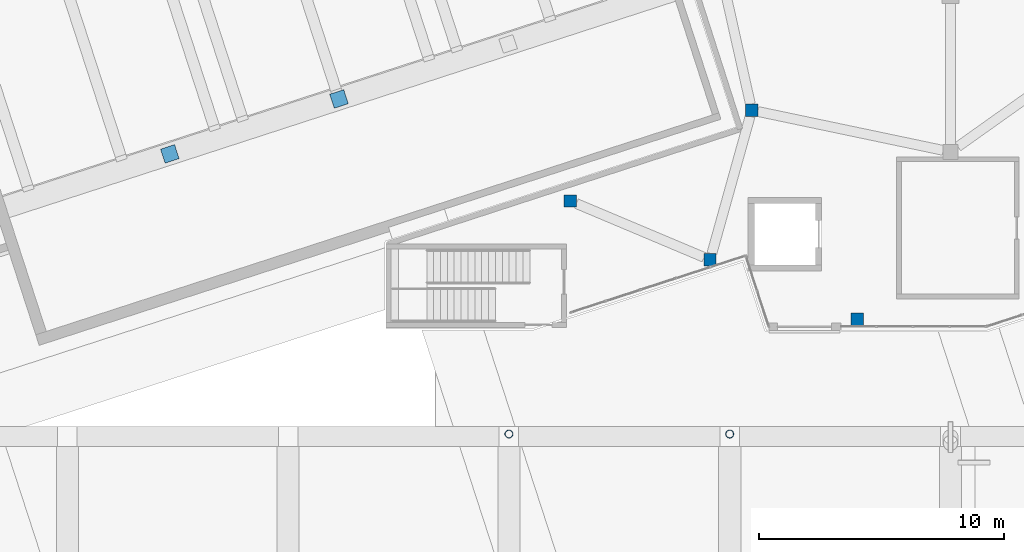
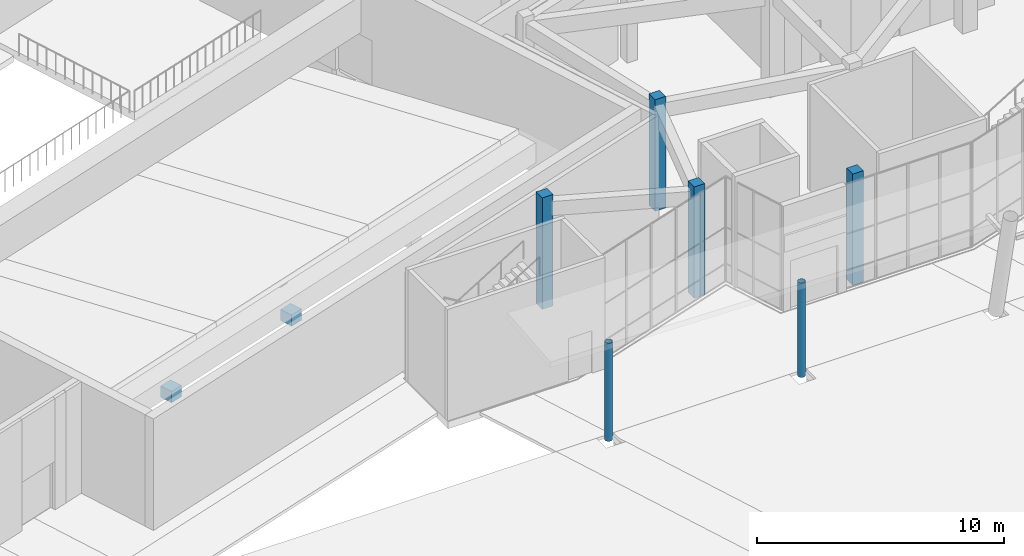
# One storey, part 1 of 72: 8 columns.
"""IFC4 building model written with IfcOpenShell, lengths in metres."""

from ifc_helpers import new_model, si_unit, direction, frame, origin, origin_2d, place, context, subcontext, project, spatial, rectangle, hollow_circle, extrude, material, material_profile, profile_set, type_object, element, save


model = new_model("IFC4")

# Units and contexts
model_context = context("Model", 3, precision=1e-05, world=origin(), true_north=direction((0.0, 1.0)))
body_context = subcontext(model_context, "Body", "Model", "MODEL_VIEW")
ifc_project = project(units=[si_unit("LENGTHUNIT", "METRE"), si_unit("AREAUNIT", "SQUARE_METRE"), si_unit("VOLUMEUNIT", "CUBIC_METRE"), si_unit("PLANEANGLEUNIT", "RADIAN"), si_unit("MASSUNIT", "GRAM", prefix="KILO")], contexts=[model_context])

# Site, building, storey
site_placement = place(None, origin())
site = spatial("IfcSite", under=ifc_project, at=site_placement, CompositionType="ELEMENT")
building_placement = place(site_placement, origin())
building = spatial("IfcBuilding", under=site, at=building_placement, Name="Tuart Plaza Theatre", CompositionType="ELEMENT")
storey_placement = place(building_placement, origin())
storey = spatial("IfcBuildingStorey", under=building, at=storey_placement, Name="L00", CompositionType="ELEMENT", Elevation=0.0)

# Columns
ifc_material_1 = material(Name="Steel Grade C350L0", Category="steel")
ifc_material_profile_1 = material_profile(ifc_material_1, hollow_circle(Radius=0.161865234375, WallThickness=0.009521484375, at=origin_2d()), Name="323.9x9.5 CHS")
ifc_profile_set_1 = profile_set([ifc_material_profile_1], Name="Steel Grade C350L0")
column_type_1 = type_object("IfcColumnType", Name="COLUMN 323.9x9.5 CHS", PredefinedType="COLUMN", material=ifc_profile_set_1)
column_1_placement = place(storey_placement, frame((69.0, 38.10009765625, 0.0), z_axis=(0.0, 0.0, 1.0), x_axis=(1.0, 0.0, 0.0)))
element("IfcColumn", 1, at=column_1_placement, inside=storey, type_object=column_type_1, Name="SC32", PredefinedType="COLUMN", context=body_context, shape_type="SweptSolid", body=[
    extrude(hollow_circle(Radius=0.161865234375, WallThickness=0.009521484375, at=origin_2d()), origin(), (0.0, 0.0, 1.0), 4.834716796875),
])
column_2_placement = place(storey_placement, frame((78.0, 38.10009765625, 0.0), z_axis=(0.0, 0.0, 1.0), x_axis=(1.0, 0.0, 0.0)))
element("IfcColumn", 2, at=column_2_placement, inside=storey, type_object=column_type_1, Name="SC33", PredefinedType="COLUMN", context=body_context, shape_type="SweptSolid", body=[
    extrude(hollow_circle(Radius=0.161865234375, WallThickness=0.009521484375, at=origin_2d()), origin(), (0.0, 0.0, 1.0), 4.65478515625),
])
ifc_material_2 = material(Name="Concrete N50 (50 MPa)", Category="concrete")
ifc_material_profile_2 = material_profile(ifc_material_2, rectangle(XDim=0.5, YDim=0.5, at=origin_2d()), Name="COLUMN 500x500 Concrete N50 (50 MPa)")
ifc_profile_set_2 = profile_set([ifc_material_profile_2], Name="Concrete N50 (50 MPa)")
column_type_2 = type_object("IfcColumnType", Name="COLUMN 500x500 Concrete N50 (50 MPa)", PredefinedType="COLUMN", material=ifc_profile_set_2)
for number, where, z_axis, x_axis, name in (
    (3, (83.199951171875, 42.780029296875, 0.0), (0.0, 0.0, 1.0), (1.0, 0.0, 0.0), "C41"),
    (4, (77.199951171875, 45.199951171875, 0.0), (0.0, 0.0, 1.0), (1.0, 0.0, 0.0), "C42"),
    (5, (71.5, 47.60009765625, 0.0), (0.0, 0.0, 1.0), (1.0, 0.0, 0.0), "C43"),
    (6, (78.89990234375, 51.300048828125, 0.0), (0.0, 0.0, 1.0), (1.0, 0.0, 0.0), "C44"),
):
    element("IfcColumn", number, at=place(storey_placement, frame(where, z_axis=z_axis, x_axis=x_axis)), inside=storey, type_object=column_type_2, Name=name, PredefinedType="COLUMN", context=body_context, shape_type="SweptSolid", body=[
        extrude(rectangle(XDim=0.5, YDim=0.5, at=origin_2d()), origin(), (0.0, 0.0, 1.0), 5.5),
    ])
ifc_material_3 = material(Name="Concrete N50 (50 MPa)", Category="concrete")
ifc_material_profile_3 = material_profile(ifc_material_3, rectangle(XDim=0.60009765625, YDim=0.60009765625, at=origin_2d()), Name="COLUMN 600x600 Concrete N50 (50 MPa)")
ifc_profile_set_3 = profile_set([ifc_material_profile_3], Name="Concrete N50 (50 MPa)")
column_type_3 = type_object("IfcColumnType", Name="COLUMN 600x600 Concrete N50 (50 MPa)", PredefinedType="COLUMN", material=ifc_profile_set_3)
for number, where, z_axis, x_axis, name in (
    (7, (55.18017578125, 49.518798828125, 0.0), (0.0, 0.0, 1.0), (0.951056516295, 0.309016994375, 0.0), "C25"),
    (8, (62.0751953125, 51.759033203125, 0.0), (0.0, 0.0, 1.0), (0.951056516295, 0.309016994375, 0.0), "C26"),
):
    element("IfcColumn", number, at=place(storey_placement, frame(where, z_axis=z_axis, x_axis=x_axis)), inside=storey, type_object=column_type_3, Name=name, PredefinedType="COLUMN", context=body_context, shape_type="SweptSolid", body=[
        extrude(rectangle(XDim=0.60009765625, YDim=0.60009765625, at=origin_2d()), origin(), (0.0, 0.0, 1.0), 0.550048828125),
    ])

save(model, "model.ifc")
